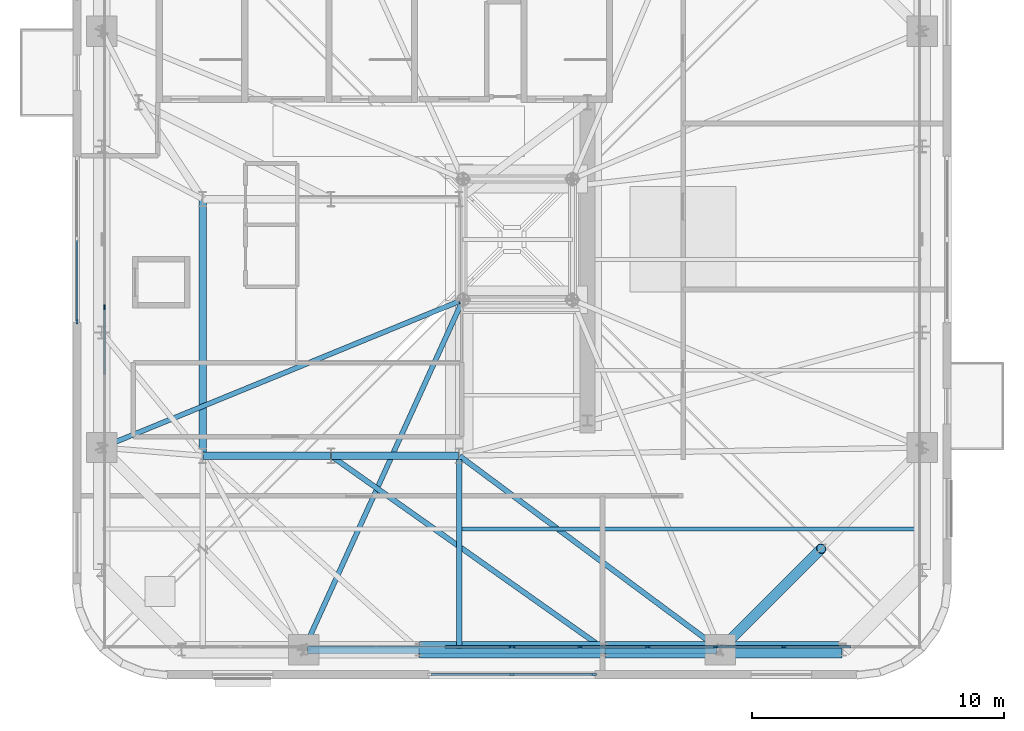
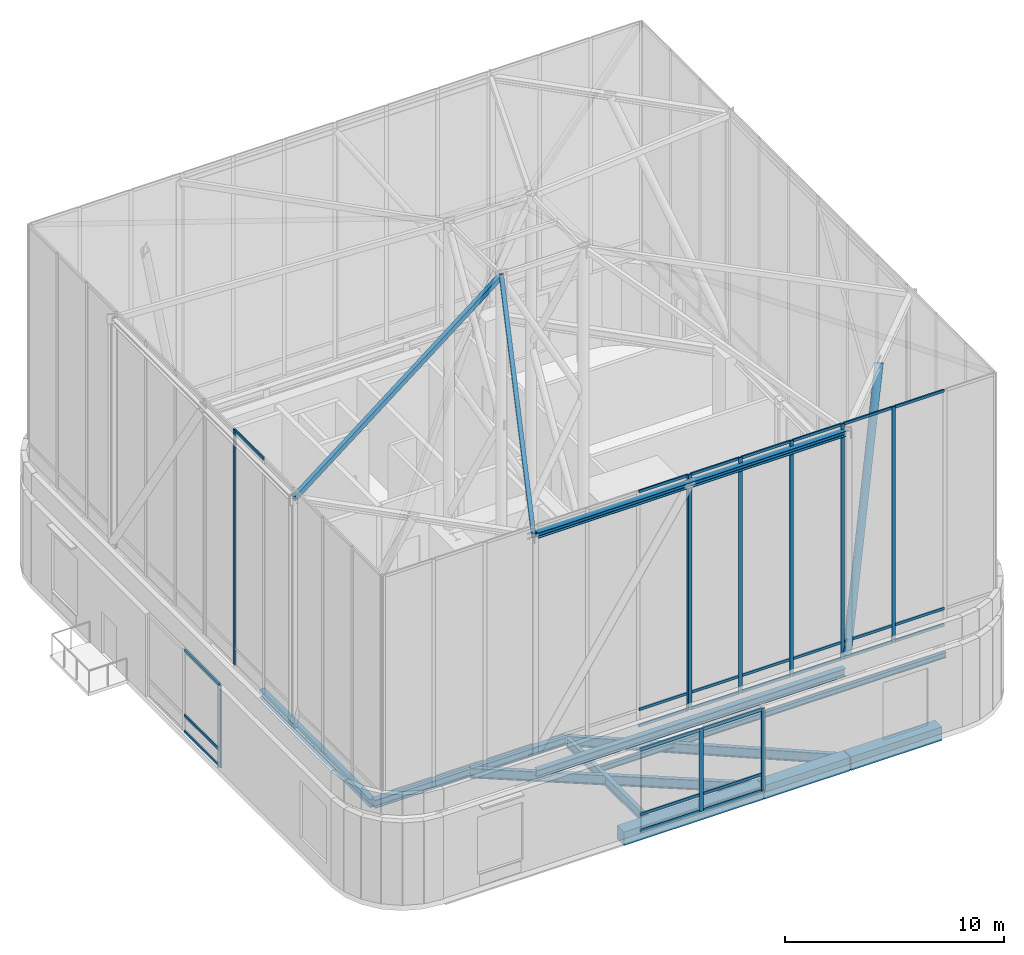
# One storey, part 3 of 15: 41 members, 12 beams, 5 elements without a shape of their own.
"""IFC4 building model written with IfcOpenShell, lengths in metres."""

from ifc_helpers import new_model, si_unit, direction, frame, origin, origin_2d, place, context, subcontext, project, spatial, rectangle, hollow_rectangle, hollow_circle, i_section, extrude, source, transform, mapped, material, material_profile, profile_set, type_object, element, aggregate, save


model = new_model("IFC4")

# Units and contexts
model_context = context("Model", 3, precision=1e-05, world=origin(), true_north=direction((0.0, 1.0)))
body_context = subcontext(model_context, "Body", "Model", "MODEL_VIEW")
ifc_project = project(units=[si_unit("LENGTHUNIT", "METRE"), si_unit("AREAUNIT", "SQUARE_METRE"), si_unit("VOLUMEUNIT", "CUBIC_METRE"), si_unit("PLANEANGLEUNIT", "RADIAN"), si_unit("MASSUNIT", "GRAM", prefix="KILO")], contexts=[model_context])

# Site, building, storey
site_placement = place(None, origin())
site = spatial("IfcSite", under=ifc_project, at=site_placement, CompositionType="ELEMENT")
building_placement = place(site_placement, origin())
building = spatial("IfcBuilding", under=site, at=building_placement, Name="Vardaveli Station Tower", CompositionType="ELEMENT")
storey_placement = place(building_placement, frame((0.0, 0.0, 301.14990234375)))
storey = spatial("IfcBuildingStorey", under=building, at=storey_placement, Name="L76", CompositionType="ELEMENT", Elevation=301.14990234375)

# Beams
ifc_material_1 = material(Name="Structural steel S355J2", Category="steel")
ifc_material_profile_1 = material_profile(ifc_material_1, i_section(OverallWidth=0.300048828125, OverallDepth=0.449951171875, WebThickness=0.013916015625, FlangeThickness=0.02587890625, FilletRadius=0.027099609375, at=origin_2d()), Name="HEB 450")
ifc_profile_set_1 = profile_set([ifc_material_profile_1], Name="Structural steel S355J2")
beam_type_1 = type_object("IfcBeamType", Name="BM-HEB450", PredefinedType="BEAM", material=ifc_profile_set_1)
shared_shape_1 = source(origin(), body_context, "Body", "SweptSolid", [
    extrude(i_section(OverallWidth=0.300048828125, OverallDepth=0.449951171875, WebThickness=0.013916015625, FlangeThickness=0.02587890625, FilletRadius=0.027099609375, at=origin_2d()), origin(), (0.0, 0.0, 1.0), 5.06005859375),
])
beam_1_placement = place(storey_placement, frame((31.219970703125, 16.60009765625, -0.52490234375), z_axis=(1.0, 0.0, 0.0), x_axis=(0.0, 1.0, 0.0)))
element("IfcBeam", 1, at=beam_1_placement, inside=storey, type_object=beam_type_1, Name="ABM-L76-01", PredefinedType="BEAM", context=body_context, shape_type="MappedRepresentation", body=[
    mapped(shared_shape_1, transform((0.0, 0.0, 0.0), scale=1.0)),
])
shared_shape_2 = source(origin(), body_context, "Body", "SweptSolid", [
    extrude(i_section(OverallWidth=0.300048828125, OverallDepth=0.449951171875, WebThickness=0.013916015625, FlangeThickness=0.02587890625, FilletRadius=0.027099609375, at=origin_2d()), origin(), (0.0, 0.0, 1.0), 5.059814453125),
])
beam_2_placement = place(storey_placement, frame((36.320068359375, 16.60009765625, -0.52490234375), z_axis=(1.0, 0.0, 0.0), x_axis=(0.0, 1.0, 0.0)))
element("IfcBeam", 2, at=beam_2_placement, inside=storey, type_object=beam_type_1, Name="ABM-L76-02", PredefinedType="BEAM", context=body_context, shape_type="MappedRepresentation", body=[
    mapped(shared_shape_2, transform((0.0, 0.0, 0.0), scale=1.0)),
])
shared_shape_3 = source(origin(), body_context, "Body", "SweptSolid", [
    extrude(i_section(OverallWidth=0.300048828125, OverallDepth=0.449951171875, WebThickness=0.013916015625, FlangeThickness=0.02587890625, FilletRadius=0.027099609375, at=origin_2d()), origin(), (0.0, 0.0, 1.0), 10.159912109375),
])
beam_3_placement = place(storey_placement, frame((31.199951171875, 26.780029296875, -0.52490234375), z_axis=(0.0, -1.0, 0.0), x_axis=(1.0, 0.0, 0.0)))
element("IfcBeam", 3, at=beam_3_placement, inside=storey, type_object=beam_type_1, Name="ABM-L76-06", PredefinedType="BEAM", context=body_context, shape_type="MappedRepresentation", body=[
    mapped(shared_shape_3, transform((0.0, 0.0, 0.0), scale=1.0)),
])
ifc_material_2 = material(Name="Precast concrete C45/55", Category="concrete")
ifc_material_profile_2 = material_profile(ifc_material_2, rectangle(XDim=0.64990234375, YDim=0.75, at=origin_2d()), Name="LPB 650x750")
ifc_profile_set_2 = profile_set([ifc_material_profile_2], Name="Precast concrete C45/55")
beam_type_2 = type_object("IfcBeamType", Name="BM-LPB-750", PredefinedType="BEAM", material=ifc_profile_set_2)
shared_shape_4 = source(origin(), body_context, "Body", "SweptSolid", [
    extrude(rectangle(XDim=0.64990234375, YDim=0.75, at=origin_2d()), origin(), (0.0, 0.0, 1.0), 7.35986328125),
])
beam_4_placement = place(storey_placement, frame((39.820068359375, 8.889892578125, -0.6748046875), z_axis=(1.0, 0.0, 0.0), x_axis=(0.0, 1.0, 0.0)))
element("IfcBeam", 4, at=beam_4_placement, inside=storey, type_object=beam_type_2, Name="RBM-L76-02", PredefinedType="BEAM", context=body_context, shape_type="MappedRepresentation", body=[
    mapped(shared_shape_4, transform((0.0, 0.0, 0.0), scale=1.0)),
])
shared_shape_5 = source(origin(), body_context, "Body", "SweptSolid", [
    extrude(rectangle(XDim=0.64990234375, YDim=0.75, at=origin_2d()), origin(), (0.0, 0.0, 1.0), 4.535888671875),
])
beam_5_placement = place(storey_placement, frame((47.219970703125, 8.889892578125, -0.6748046875), z_axis=(1.0, 0.0, 0.0), x_axis=(0.0, 1.0, 0.0)))
element("IfcBeam", 5, at=beam_5_placement, inside=storey, type_object=beam_type_2, Name="RBM-L76-03", PredefinedType="BEAM", context=body_context, shape_type="MappedRepresentation", body=[
    mapped(shared_shape_5, transform((0.0, 0.0, 0.0), scale=1.0)),
])
shared_shape_6 = source(origin(), body_context, "Body", "SweptSolid", [
    extrude(rectangle(XDim=0.64990234375, YDim=0.75, at=origin_2d()), origin(), (0.0, 0.0, 1.0), 4.8271484375),
])
beam_6_placement = place(storey_placement, frame((51.7958984375, 8.889892578125, -0.6748046875), z_axis=(1.0, 0.0, 0.0), x_axis=(0.0, 1.0, 0.0)))
element("IfcBeam", 6, at=beam_6_placement, inside=storey, type_object=beam_type_2, Name="RBM-L76-04", PredefinedType="BEAM", context=body_context, shape_type="MappedRepresentation", body=[
    mapped(shared_shape_6, transform((0.0, 0.0, 0.0), scale=1.0)),
])
ifc_material_profile_3 = material_profile(ifc_material_1, i_section(OverallWidth=0.2099609375, OverallDepth=0.550048828125, WebThickness=0.010986328125, FlangeThickness=0.01708984375, FilletRadius=0.02392578125, at=origin_2d()), Name="IPE 550")
ifc_profile_set_3 = profile_set([ifc_material_profile_3], Name="Structural steel S355J2")
beam_type_3 = type_object("IfcBeamType", Name="BM-IPE550", PredefinedType="BEAM", material=ifc_profile_set_3)
shared_shape_7 = source(origin(), body_context, "Body", "SweptSolid", [
    extrude(i_section(OverallWidth=0.2099609375, OverallDepth=0.550048828125, WebThickness=0.010986328125, FlangeThickness=0.01708984375, FilletRadius=0.02392578125, at=origin_2d()), origin(), (0.0, 0.0, 1.0), 13.31103515625),
])
beam_7_placement = place(storey_placement, frame((47.18359375, 8.901611328125, -0.574951171875), z_axis=(-0.816407836017, 0.577475752988, 0.0), x_axis=(-0.577475752988, -0.816407836017, 0.0)))
element("IfcBeam", 7, at=beam_7_placement, inside=storey, type_object=beam_type_3, Name="GBM-L76-03", PredefinedType="BEAM", context=body_context, shape_type="MappedRepresentation", body=[
    mapped(shared_shape_7, transform((0.0, 0.0, 0.0), scale=1.0)),
])
shared_shape_8 = source(origin(), body_context, "Body", "SweptSolid", [
    extrude(i_section(OverallWidth=0.2099609375, OverallDepth=0.550048828125, WebThickness=0.010986328125, FlangeThickness=0.01708984375, FilletRadius=0.02392578125, at=origin_2d()), origin(), (0.0, 0.0, 1.0), 12.886962890625),
])
beam_8_placement = place(storey_placement, frame((51.759765625, 8.90185546875, -0.574951171875), z_axis=(-0.802656519513, 0.596441540876, 0.0), x_axis=(-0.596441540876, -0.802656519513, 0.0)))
element("IfcBeam", 8, at=beam_8_placement, inside=storey, type_object=beam_type_3, Name="GBM-L76-04", PredefinedType="BEAM", context=body_context, shape_type="MappedRepresentation", body=[
    mapped(shared_shape_8, transform((0.0, 0.0, 0.0), scale=1.0)),
])
shared_shape_9 = source(origin(), body_context, "Body", "SweptSolid", [
    extrude(i_section(OverallWidth=0.2099609375, OverallDepth=0.550048828125, WebThickness=0.010986328125, FlangeThickness=0.01708984375, FilletRadius=0.02392578125, at=origin_2d()), origin(), (0.0, 0.0, 1.0), 7.530029296875),
])
beam_9_placement = place(storey_placement, frame((41.39990234375, 8.929931640625, -0.574951171875), z_axis=(0.0, 1.0, 0.0), x_axis=(-1.0, 0.0, 0.0)))
element("IfcBeam", 9, at=beam_9_placement, inside=storey, type_object=beam_type_3, Name="NSM-L76-S2", PredefinedType="BEAM", context=body_context, shape_type="MappedRepresentation", body=[
    mapped(shared_shape_9, transform((0.0, 0.0, 0.0), scale=1.0)),
])
ifc_material_profile_4 = material_profile(ifc_material_1, i_section(OverallWidth=0.14990234375, OverallDepth=0.300048828125, WebThickness=0.007080078125, FlangeThickness=0.0107421875, FilletRadius=0.014892578125, at=origin_2d()), Name="IPE 300")
ifc_profile_set_4 = profile_set([ifc_material_profile_4], Name="Structural steel S355J2")
beam_type_4 = type_object("IfcBeamType", Name="BM-IPE300", PredefinedType="JOIST", material=ifc_profile_set_4)
shared_shape_10 = source(origin(), body_context, "Body", "SweptSolid", [
    extrude(i_section(OverallWidth=0.14990234375, OverallDepth=0.300048828125, WebThickness=0.007080078125, FlangeThickness=0.0107421875, FilletRadius=0.014892578125, at=origin_2d()), origin(), (0.0, 0.0, 1.0), 18.258056640625),
])
beam_10_placement = place(storey_placement, frame((41.511962890625, 13.68994140625, -0.449951171875), z_axis=(1.0, 0.0, 0.0), x_axis=(0.0, 1.0, 0.0)))
element("IfcBeam", 10, at=beam_10_placement, inside=storey, type_object=beam_type_4, Name="SJ-L76-S03", PredefinedType="JOIST", context=body_context, shape_type="MappedRepresentation", body=[
    mapped(shared_shape_10, transform((0.0, 0.0, 0.0), scale=1.0)),
])
shared_shape_11 = source(origin(), body_context, "Body", "SweptSolid", [
    extrude(i_section(OverallWidth=0.300048828125, OverallDepth=0.449951171875, WebThickness=0.013916015625, FlangeThickness=0.02587890625, FilletRadius=0.027099609375, at=origin_2d()), origin(), (0.0, 0.0, 1.0), 16.271484375),
])
beam_11_placement = place(storey_placement, frame((35.3642578125, 8.889892578125, 4.375), z_axis=(1.0, 0.0, 0.0), x_axis=(0.0, 1.0, 0.0)))
element("IfcBeam", 11, at=beam_11_placement, inside=storey, type_object=beam_type_1, Name="CRB-BASE-01", PredefinedType="BEAM", context=body_context, shape_type="MappedRepresentation", body=[
    mapped(shared_shape_11, transform((0.0, 0.0, 0.0), scale=1.0)),
])

# Member
ifc_material_3 = material(Name="Structural steel S460M", Category="steel")
ifc_material_profile_5 = material_profile(ifc_material_3, hollow_circle(Radius=0.203125, WallThickness=0.02001953125, at=origin_2d()), Name="CHS 406.4x20")
ifc_profile_set_5 = profile_set([ifc_material_profile_5], Name="Structural steel S460M")
member_type_1 = type_object("IfcMemberType", Name="MEM-ST-CHS406", PredefinedType="STRUT", material=ifc_profile_set_5)
shared_shape_12 = source(origin(), body_context, "Body", "SweptSolid", [
    extrude(hollow_circle(Radius=0.203125, WallThickness=0.02001953125, at=origin_2d()), origin(), (0.0, 0.0, 1.0), 13.68505859375),
])
member_1_placement = place(storey_placement, frame((51.77587890625, 8.889892578125, 5.25), z_axis=(0.293537937802, 0.293537937802, 0.909764232173), x_axis=(-0.707106781187, 0.707106781187, 0.0)))
element("IfcMember", 12, at=member_1_placement, inside=storey, type_object=member_type_1, Name="CRM-STR-02", PredefinedType="STRUT", context=body_context, shape_type="MappedRepresentation", body=[
    mapped(shared_shape_12, transform((0.0, 0.0, 0.0), scale=1.0)),
])

# Beam
ifc_material_profile_6 = material_profile(ifc_material_1, i_section(OverallWidth=0.300048828125, OverallDepth=0.300048828125, WebThickness=0.010986328125, FlangeThickness=0.01904296875, FilletRadius=0.027099609375, at=origin_2d()), Name="HEB 300")
ifc_profile_set_6 = profile_set([ifc_material_profile_6], Name="Structural steel S355J2")
beam_type_5 = type_object("IfcBeamType", Name="BM-HEB300", PredefinedType="BEAM", material=ifc_profile_set_6)
shared_shape_13 = source(origin(), body_context, "Body", "SweptSolid", [
    extrude(i_section(OverallWidth=0.300048828125, OverallDepth=0.300048828125, WebThickness=0.010986328125, FlangeThickness=0.01904296875, FilletRadius=0.027099609375, at=origin_2d()), origin(), (0.0, 0.0, 1.0), 16.271484375),
])
beam_12_placement = place(storey_placement, frame((35.3642578125, 8.889892578125, 17.7001953125), z_axis=(1.0, 0.0, 0.0), x_axis=(0.0, 1.0, 0.0)))
element("IfcBeam", 13, at=beam_12_placement, inside=storey, type_object=beam_type_5, Name="CRB-EAVE-01", PredefinedType="BEAM", context=body_context, shape_type="MappedRepresentation", body=[
    mapped(shared_shape_13, transform((0.0, 0.0, 0.0), scale=1.0)),
])

# Members
ifc_material_profile_7 = material_profile(ifc_material_1, hollow_rectangle(XDim=0.199951171875, YDim=0.300048828125, WallThickness=0.012451171875, at=origin_2d()), Name="RHS 300x200x12.5")
ifc_profile_set_7 = profile_set([ifc_material_profile_7], Name="Structural steel S355J2")
member_type_2 = type_object("IfcMemberType", Name="MEM-RF-RHS300", PredefinedType="RAFTER", material=ifc_profile_set_7)
shared_shape_14 = source(origin(), body_context, "Body", "SweptSolid", [
    extrude(hollow_rectangle(XDim=0.199951171875, YDim=0.300048828125, WallThickness=0.012451171875, at=origin_2d()), origin(), (0.0, 0.0, 1.0), 15.763427734375),
])
member_2_placement = place(storey_placement, frame((35.22412109375, 8.889892578125, 17.7001953125), z_axis=(0.401304013549, 0.882432074254, 0.245496890076), x_axis=(-0.910289313805, 0.413972662349, 0.0)))
element("IfcMember", 14, at=member_2_placement, inside=storey, type_object=member_type_2, Name="CRM-RAF-01", PredefinedType="RAFTER", context=body_context, shape_type="MappedRepresentation", body=[
    mapped(shared_shape_14, transform((0.0, 0.0, 0.0), scale=1.0)),
])
shared_shape_15 = source(origin(), body_context, "Body", "SweptSolid", [
    extrude(hollow_rectangle(XDim=0.199951171875, YDim=0.300048828125, WallThickness=0.012451171875, at=origin_2d()), origin(), (0.0, 0.0, 1.0), 15.990966796875),
])
member_3_placement = place(storey_placement, frame((27.18994140625, 16.92431640625, 17.7001953125), z_axis=(0.898010523232, 0.3674394203, 0.242002835882), x_axis=(-0.378695952222, 0.925521137398, 0.0)))
element("IfcMember", 15, at=member_3_placement, inside=storey, type_object=member_type_2, Name="CRM-RAF-08", PredefinedType="RAFTER", context=body_context, shape_type="MappedRepresentation", body=[
    mapped(shared_shape_15, transform((0.0, 0.0, 0.0), scale=1.0)),
])

# Curtain wall, members
ifc_material_4 = material(Name="Travertine stone and solar-control glass", Category="masonry")
curtain_wall_type_1 = type_object("IfcCurtainWallType", Name="CW-SYS-5", PredefinedType="NOTDEFINED", material=ifc_material_4)
curtain_wall_1_placement = place(storey_placement, origin())
curtain_wall_1 = element("IfcCurtainWall", 16, at=curtain_wall_1_placement, inside=storey, type_object=curtain_wall_type_1, Name="CW-L76-S", PredefinedType="NOTDEFINED")
ifc_material_5 = material(Name="Anodised aluminium alloy 6063-T6", Category="aluminium")
ifc_material_profile_8 = material_profile(ifc_material_5, rectangle(XDim=0.080078125, YDim=0.1650390625, at=origin_2d()), Name="CWT 80x165")
ifc_profile_set_8 = profile_set([ifc_material_profile_8], Name="Anodised aluminium alloy 6063-T6")
member_type_3 = type_object("IfcMemberType", Name="CW-SYS-5-TRAN", PredefinedType="NOTDEFINED", material=ifc_profile_set_8)
shared_shape_16 = source(origin(), body_context, "Body", "SweptSolid", [
    extrude(rectangle(XDim=0.080078125, YDim=0.1650390625, at=origin_2d()), origin(), (0.0, 0.0, 1.0), 3.179931640625),
])
member_4_placement = place(storey_placement, frame((40.280029296875, 7.89990234375, 0.0400390625), z_axis=(1.0, 0.0, 0.0), x_axis=(0.0, 1.0, 0.0)))
member_4 = element("IfcMember", 17, at=member_4_placement, type_object=member_type_3, Name="CW-5 transom 1.1", ObjectType="TRANSOM", PredefinedType="USERDEFINED", context=body_context, shape_type="MappedRepresentation", body=[
    mapped(shared_shape_16, transform((0.0, 0.0, 0.0), scale=1.0)),
])
member_5_placement = place(storey_placement, frame((40.280029296875, 7.89990234375, 0.9501953125), z_axis=(1.0, 0.0, 0.0), x_axis=(0.0, 1.0, 0.0)))
member_5 = element("IfcMember", 18, at=member_5_placement, type_object=member_type_3, Name="CW-5 transom 1.2", ObjectType="TRANSOM", PredefinedType="USERDEFINED", context=body_context, shape_type="MappedRepresentation", body=[
    mapped(shared_shape_16, transform((0.0, 0.0, 0.0), scale=1.0)),
])
member_6_placement = place(storey_placement, frame((40.280029296875, 7.89990234375, 4.56005859375), z_axis=(1.0, 0.0, 0.0), x_axis=(0.0, 1.0, 0.0)))
member_6 = element("IfcMember", 19, at=member_6_placement, type_object=member_type_3, Name="CW-5 transom 1.3", ObjectType="TRANSOM", PredefinedType="USERDEFINED", context=body_context, shape_type="MappedRepresentation", body=[
    mapped(shared_shape_16, transform((0.0, 0.0, 0.0), scale=1.0)),
])
member_7_placement = place(storey_placement, frame((43.5400390625, 7.89990234375, 0.0400390625), z_axis=(1.0, 0.0, 0.0), x_axis=(0.0, 1.0, 0.0)))
member_7 = element("IfcMember", 20, at=member_7_placement, type_object=member_type_3, Name="CW-5 transom 2.1", ObjectType="TRANSOM", PredefinedType="USERDEFINED", context=body_context, shape_type="MappedRepresentation", body=[
    mapped(shared_shape_16, transform((0.0, 0.0, 0.0), scale=1.0)),
])
member_8_placement = place(storey_placement, frame((43.5400390625, 7.89990234375, 0.9501953125), z_axis=(1.0, 0.0, 0.0), x_axis=(0.0, 1.0, 0.0)))
member_8 = element("IfcMember", 21, at=member_8_placement, type_object=member_type_3, Name="CW-5 transom 2.2", ObjectType="TRANSOM", PredefinedType="USERDEFINED", context=body_context, shape_type="MappedRepresentation", body=[
    mapped(shared_shape_16, transform((0.0, 0.0, 0.0), scale=1.0)),
])
member_9_placement = place(storey_placement, frame((43.5400390625, 7.89990234375, 4.56005859375), z_axis=(1.0, 0.0, 0.0), x_axis=(0.0, 1.0, 0.0)))
member_9 = element("IfcMember", 22, at=member_9_placement, type_object=member_type_3, Name="CW-5 transom 2.3", ObjectType="TRANSOM", PredefinedType="USERDEFINED", context=body_context, shape_type="MappedRepresentation", body=[
    mapped(shared_shape_16, transform((0.0, 0.0, 0.0), scale=1.0)),
])

curtain_wall_2_placement = place(storey_placement, origin())
curtain_wall_2 = element("IfcCurtainWall", 23, at=curtain_wall_2_placement, inside=storey, type_object=curtain_wall_type_1, Name="CW-L76-W", PredefinedType="NOTDEFINED")
member_10_placement = place(storey_placement, frame((26.199951171875, 25.159912109375, 0.0400390625), z_axis=(0.0, -1.0, 0.0), x_axis=(1.0, 0.0, 0.0)))
member_10 = element("IfcMember", 24, at=member_10_placement, type_object=member_type_3, Name="CW-5 transom 2.1", ObjectType="TRANSOM", PredefinedType="USERDEFINED", context=body_context, shape_type="MappedRepresentation", body=[
    mapped(shared_shape_16, transform((0.0, 0.0, 0.0), scale=1.0)),
])
member_11_placement = place(storey_placement, frame((26.199951171875, 25.159912109375, 0.9501953125), z_axis=(0.0, -1.0, 0.0), x_axis=(1.0, 0.0, 0.0)))
member_11 = element("IfcMember", 25, at=member_11_placement, type_object=member_type_3, Name="CW-5 transom 2.2", ObjectType="TRANSOM", PredefinedType="USERDEFINED", context=body_context, shape_type="MappedRepresentation", body=[
    mapped(shared_shape_16, transform((0.0, 0.0, 0.0), scale=1.0)),
])
member_12_placement = place(storey_placement, frame((26.199951171875, 25.159912109375, 4.56005859375), z_axis=(0.0, -1.0, 0.0), x_axis=(1.0, 0.0, 0.0)))
member_12 = element("IfcMember", 26, at=member_12_placement, type_object=member_type_3, Name="CW-5 transom 2.3", ObjectType="TRANSOM", PredefinedType="USERDEFINED", context=body_context, shape_type="MappedRepresentation", body=[
    mapped(shared_shape_16, transform((0.0, 0.0, 0.0), scale=1.0)),
])

# Member
ifc_material_profile_9 = material_profile(ifc_material_5, rectangle(XDim=0.080078125, YDim=0.205078125, at=origin_2d()), Name="CWM 80x205")
ifc_profile_set_9 = profile_set([ifc_material_profile_9], Name="Anodised aluminium alloy 6063-T6")
member_type_4 = type_object("IfcMemberType", Name="CW-SYS-5-MULL", PredefinedType="MULLION", material=ifc_profile_set_9)
shared_shape_17 = source(origin(), body_context, "Body", "SweptSolid", [
    extrude(rectangle(XDim=0.080078125, YDim=0.205078125, at=origin_2d()), origin(), (0.0, 0.0, 1.0), 4.60009765625),
])
member_13_placement = place(storey_placement, frame((43.5, 7.89990234375, 0.0), z_axis=(0.0, 0.0, 1.0), x_axis=(0.0, 1.0, 0.0)))
member_13 = element("IfcMember", 27, at=member_13_placement, type_object=member_type_4, Name="CW-5 mullion 2", PredefinedType="MULLION", context=body_context, shape_type="MappedRepresentation", body=[
    mapped(shared_shape_17, transform((0.0, 0.0, 0.0), scale=1.0)),
])

member_14_placement = place(storey_placement, frame((46.760009765625, 7.89990234375, 0.0), z_axis=(0.0, 0.0, 1.0), x_axis=(0.0, 1.0, 0.0)))
member_14 = element("IfcMember", 28, at=member_14_placement, type_object=member_type_4, Name="CW-5 mullion 3", PredefinedType="MULLION", context=body_context, shape_type="MappedRepresentation", body=[
    mapped(shared_shape_17, transform((0.0, 0.0, 0.0), scale=1.0)),
])

aggregate(curtain_wall_1, [member_13, member_14, member_4, member_5, member_6, member_7, member_8, member_9])

member_15_placement = place(storey_placement, frame((26.199951171875, 21.93994140625, 0.0), z_axis=(0.0, 0.0, 1.0), x_axis=(1.0, 0.0, 0.0)))
member_15 = element("IfcMember", 29, at=member_15_placement, type_object=member_type_4, Name="CW-5 mullion 3", PredefinedType="MULLION", context=body_context, shape_type="MappedRepresentation", body=[
    mapped(shared_shape_17, transform((0.0, 0.0, 0.0), scale=1.0)),
])

aggregate(curtain_wall_2, [member_15, member_10, member_11, member_12])

# Curtain wall, member
curtain_wall_type_2 = type_object("IfcCurtainWallType", Name="CW-SYS-6", PredefinedType="NOTDEFINED", material=ifc_material_4)
curtain_wall_3_placement = place(storey_placement, origin())
curtain_wall_3 = element("IfcCurtainWall", 30, at=curtain_wall_3_placement, inside=storey, type_object=curtain_wall_type_2, Name="CW-L76-CRN-S1", PredefinedType="NOTDEFINED")
ifc_material_profile_10 = material_profile(ifc_material_5, rectangle(XDim=0.074951171875, YDim=0.18994140625, at=origin_2d()), Name="CWM 75x190")
ifc_profile_set_10 = profile_set([ifc_material_profile_10], Name="Anodised aluminium alloy 6063-T6")
member_type_5 = type_object("IfcMemberType", Name="CW-SYS-6-MULL", PredefinedType="MULLION", material=ifc_profile_set_10)
shared_shape_18 = source(origin(), body_context, "Body", "SweptSolid", [
    extrude(rectangle(XDim=0.074951171875, YDim=0.18994140625, at=origin_2d()), origin(), (0.0, 0.0, 1.0), 13.150146484375),
])
member_16_placement = place(storey_placement, frame((43.46240234375, 9.0, 5.0), z_axis=(0.0, 0.0, 1.0), x_axis=(0.0, 1.0, 0.0)))
member_16 = element("IfcMember", 31, at=member_16_placement, type_object=member_type_5, Name="CW-6 mullion 7", PredefinedType="MULLION", context=body_context, shape_type="MappedRepresentation", body=[
    mapped(shared_shape_18, transform((0.0, 0.0, 0.0), scale=1.0)),
])

# Curtain wall, members
curtain_wall_4_placement = place(storey_placement, origin())
curtain_wall_4 = element("IfcCurtainWall", 32, at=curtain_wall_4_placement, inside=storey, type_object=curtain_wall_type_2, Name="CW-L76-CRN-S2", PredefinedType="NOTDEFINED")
member_17_placement = place(storey_placement, frame((43.53759765625, 9.0, 5.0), z_axis=(0.0, 0.0, 1.0), x_axis=(0.0, 1.0, 0.0)))
member_17 = element("IfcMember", 33, at=member_17_placement, type_object=member_type_5, Name="CW-6 mullion 1", PredefinedType="MULLION", context=body_context, shape_type="MappedRepresentation", body=[
    mapped(shared_shape_18, transform((0.0, 0.0, 0.0), scale=1.0)),
])
member_18_placement = place(storey_placement, frame((46.199951171875, 9.0, 5.0), z_axis=(0.0, 0.0, 1.0), x_axis=(0.0, 1.0, 0.0)))
member_18 = element("IfcMember", 34, at=member_18_placement, type_object=member_type_5, Name="CW-6 mullion 2", PredefinedType="MULLION", context=body_context, shape_type="MappedRepresentation", body=[
    mapped(shared_shape_18, transform((0.0, 0.0, 0.0), scale=1.0)),
])
member_19_placement = place(storey_placement, frame((48.89990234375, 9.0, 5.0), z_axis=(0.0, 0.0, 1.0), x_axis=(0.0, 1.0, 0.0)))
member_19 = element("IfcMember", 35, at=member_19_placement, type_object=member_type_5, Name="CW-6 mullion 3", PredefinedType="MULLION", context=body_context, shape_type="MappedRepresentation", body=[
    mapped(shared_shape_18, transform((0.0, 0.0, 0.0), scale=1.0)),
])
member_20_placement = place(storey_placement, frame((51.60009765625, 9.0, 5.0), z_axis=(0.0, 0.0, 1.0), x_axis=(0.0, 1.0, 0.0)))
member_20 = element("IfcMember", 36, at=member_20_placement, type_object=member_type_5, Name="CW-6 mullion 4", PredefinedType="MULLION", context=body_context, shape_type="MappedRepresentation", body=[
    mapped(shared_shape_18, transform((0.0, 0.0, 0.0), scale=1.0)),
])
member_21_placement = place(storey_placement, frame((54.300048828125, 9.0, 5.0), z_axis=(0.0, 0.0, 1.0), x_axis=(0.0, 1.0, 0.0)))
member_21 = element("IfcMember", 37, at=member_21_placement, type_object=member_type_5, Name="CW-6 mullion 5", PredefinedType="MULLION", context=body_context, shape_type="MappedRepresentation", body=[
    mapped(shared_shape_18, transform((0.0, 0.0, 0.0), scale=1.0)),
])

# Curtain wall, member
curtain_wall_5_placement = place(storey_placement, origin())
curtain_wall_5 = element("IfcCurtainWall", 38, at=curtain_wall_5_placement, inside=storey, type_object=curtain_wall_type_2, Name="CW-L76-CRN-W2", PredefinedType="NOTDEFINED")
member_22_placement = place(storey_placement, frame((27.300048828125, 22.5, 5.0), z_axis=(0.0, 0.0, 1.0), x_axis=(1.0, 0.0, 0.0)))
member_22 = element("IfcMember", 39, at=member_22_placement, type_object=member_type_5, Name="CW-6 mullion 2", PredefinedType="MULLION", context=body_context, shape_type="MappedRepresentation", body=[
    mapped(shared_shape_18, transform((0.0, 0.0, 0.0), scale=1.0)),
])

# Member
ifc_material_profile_11 = material_profile(ifc_material_5, rectangle(XDim=0.074951171875, YDim=0.14990234375, at=origin_2d()), Name="CWT 75x150")
ifc_profile_set_11 = profile_set([ifc_material_profile_11], Name="Anodised aluminium alloy 6063-T6")
member_type_6 = type_object("IfcMemberType", Name="CW-SYS-6-TRAN", PredefinedType="NOTDEFINED", material=ifc_profile_set_11)
shared_shape_19 = source(origin(), body_context, "Body", "SweptSolid", [
    extrude(rectangle(XDim=0.074951171875, YDim=0.14990234375, at=origin_2d()), origin(), (0.0, 0.0, 1.0), 2.625),
])
member_23_placement = place(storey_placement, frame((46.237548828125, 9.0, 5.03759765625), z_axis=(1.0, 0.0, 0.0), x_axis=(0.0, 1.0, 0.0)))
member_23 = element("IfcMember", 40, at=member_23_placement, type_object=member_type_6, Name="CW-6 transom 2.1", ObjectType="TRANSOM", PredefinedType="USERDEFINED", context=body_context, shape_type="MappedRepresentation", body=[
    mapped(shared_shape_19, transform((0.0, 0.0, 0.0), scale=1.0)),
])

member_24_placement = place(storey_placement, frame((46.237548828125, 9.0, 5.9501953125), z_axis=(1.0, 0.0, 0.0), x_axis=(0.0, 1.0, 0.0)))
member_24 = element("IfcMember", 41, at=member_24_placement, type_object=member_type_6, Name="CW-6 transom 2.2", ObjectType="TRANSOM", PredefinedType="USERDEFINED", context=body_context, shape_type="MappedRepresentation", body=[
    mapped(shared_shape_19, transform((0.0, 0.0, 0.0), scale=1.0)),
])

member_25_placement = place(storey_placement, frame((46.237548828125, 9.0, 18.112548828125), z_axis=(1.0, 0.0, 0.0), x_axis=(0.0, 1.0, 0.0)))
member_25 = element("IfcMember", 42, at=member_25_placement, type_object=member_type_6, Name="CW-6 transom 2.3", ObjectType="TRANSOM", PredefinedType="USERDEFINED", context=body_context, shape_type="MappedRepresentation", body=[
    mapped(shared_shape_19, transform((0.0, 0.0, 0.0), scale=1.0)),
])

member_26_placement = place(storey_placement, frame((48.9375, 9.0, 5.03759765625), z_axis=(1.0, 0.0, 0.0), x_axis=(0.0, 1.0, 0.0)))
member_26 = element("IfcMember", 43, at=member_26_placement, type_object=member_type_6, Name="CW-6 transom 3.1", ObjectType="TRANSOM", PredefinedType="USERDEFINED", context=body_context, shape_type="MappedRepresentation", body=[
    mapped(shared_shape_19, transform((0.0, 0.0, 0.0), scale=1.0)),
])

member_27_placement = place(storey_placement, frame((48.9375, 9.0, 5.9501953125), z_axis=(1.0, 0.0, 0.0), x_axis=(0.0, 1.0, 0.0)))
member_27 = element("IfcMember", 44, at=member_27_placement, type_object=member_type_6, Name="CW-6 transom 3.2", ObjectType="TRANSOM", PredefinedType="USERDEFINED", context=body_context, shape_type="MappedRepresentation", body=[
    mapped(shared_shape_19, transform((0.0, 0.0, 0.0), scale=1.0)),
])

member_28_placement = place(storey_placement, frame((48.9375, 9.0, 18.112548828125), z_axis=(1.0, 0.0, 0.0), x_axis=(0.0, 1.0, 0.0)))
member_28 = element("IfcMember", 45, at=member_28_placement, type_object=member_type_6, Name="CW-6 transom 3.3", ObjectType="TRANSOM", PredefinedType="USERDEFINED", context=body_context, shape_type="MappedRepresentation", body=[
    mapped(shared_shape_19, transform((0.0, 0.0, 0.0), scale=1.0)),
])

member_29_placement = place(storey_placement, frame((51.637451171875, 9.0, 5.03759765625), z_axis=(1.0, 0.0, 0.0), x_axis=(0.0, 1.0, 0.0)))
member_29 = element("IfcMember", 46, at=member_29_placement, type_object=member_type_6, Name="CW-6 transom 4.1", ObjectType="TRANSOM", PredefinedType="USERDEFINED", context=body_context, shape_type="MappedRepresentation", body=[
    mapped(shared_shape_19, transform((0.0, 0.0, 0.0), scale=1.0)),
])

member_30_placement = place(storey_placement, frame((51.637451171875, 9.0, 5.9501953125), z_axis=(1.0, 0.0, 0.0), x_axis=(0.0, 1.0, 0.0)))
member_30 = element("IfcMember", 47, at=member_30_placement, type_object=member_type_6, Name="CW-6 transom 4.2", ObjectType="TRANSOM", PredefinedType="USERDEFINED", context=body_context, shape_type="MappedRepresentation", body=[
    mapped(shared_shape_19, transform((0.0, 0.0, 0.0), scale=1.0)),
])

member_31_placement = place(storey_placement, frame((51.637451171875, 9.0, 18.112548828125), z_axis=(1.0, 0.0, 0.0), x_axis=(0.0, 1.0, 0.0)))
member_31 = element("IfcMember", 48, at=member_31_placement, type_object=member_type_6, Name="CW-6 transom 4.3", ObjectType="TRANSOM", PredefinedType="USERDEFINED", context=body_context, shape_type="MappedRepresentation", body=[
    mapped(shared_shape_19, transform((0.0, 0.0, 0.0), scale=1.0)),
])

member_32_placement = place(storey_placement, frame((54.33740234375, 9.0, 5.03759765625), z_axis=(1.0, 0.0, 0.0), x_axis=(0.0, 1.0, 0.0)))
member_32 = element("IfcMember", 49, at=member_32_placement, type_object=member_type_6, Name="CW-6 transom 5.1", ObjectType="TRANSOM", PredefinedType="USERDEFINED", context=body_context, shape_type="MappedRepresentation", body=[
    mapped(shared_shape_19, transform((0.0, 0.0, 0.0), scale=1.0)),
])

member_33_placement = place(storey_placement, frame((54.33740234375, 9.0, 5.9501953125), z_axis=(1.0, 0.0, 0.0), x_axis=(0.0, 1.0, 0.0)))
member_33 = element("IfcMember", 50, at=member_33_placement, type_object=member_type_6, Name="CW-6 transom 5.2", ObjectType="TRANSOM", PredefinedType="USERDEFINED", context=body_context, shape_type="MappedRepresentation", body=[
    mapped(shared_shape_19, transform((0.0, 0.0, 0.0), scale=1.0)),
])

member_34_placement = place(storey_placement, frame((54.33740234375, 9.0, 18.112548828125), z_axis=(1.0, 0.0, 0.0), x_axis=(0.0, 1.0, 0.0)))
member_34 = element("IfcMember", 51, at=member_34_placement, type_object=member_type_6, Name="CW-6 transom 5.3", ObjectType="TRANSOM", PredefinedType="USERDEFINED", context=body_context, shape_type="MappedRepresentation", body=[
    mapped(shared_shape_19, transform((0.0, 0.0, 0.0), scale=1.0)),
])

member_35_placement = place(storey_placement, frame((27.300048828125, 22.46240234375, 18.112548828125), z_axis=(0.0, -1.0, 0.0), x_axis=(1.0, 0.0, 0.0)))
member_35 = element("IfcMember", 52, at=member_35_placement, type_object=member_type_6, Name="CW-6 transom 2.3", ObjectType="TRANSOM", PredefinedType="USERDEFINED", context=body_context, shape_type="MappedRepresentation", body=[
    mapped(shared_shape_19, transform((0.0, 0.0, 0.0), scale=1.0)),
])

aggregate(curtain_wall_5, [member_22, member_35])

shared_shape_20 = source(origin(), body_context, "Body", "SweptSolid", [
    extrude(rectangle(XDim=0.074951171875, YDim=0.14990234375, at=origin_2d()), origin(), (0.0, 0.0, 1.0), 2.587646484375),
])
member_36_placement = place(storey_placement, frame((40.83740234375, 9.0, 5.03759765625), z_axis=(1.0, 0.0, 0.0), x_axis=(0.0, 1.0, 0.0)))
member_36 = element("IfcMember", 53, at=member_36_placement, type_object=member_type_6, Name="CW-6 transom 6.1", ObjectType="TRANSOM", PredefinedType="USERDEFINED", context=body_context, shape_type="MappedRepresentation", body=[
    mapped(shared_shape_20, transform((0.0, 0.0, 0.0), scale=1.0)),
])

member_37_placement = place(storey_placement, frame((40.83740234375, 9.0, 5.9501953125), z_axis=(1.0, 0.0, 0.0), x_axis=(0.0, 1.0, 0.0)))
member_37 = element("IfcMember", 54, at=member_37_placement, type_object=member_type_6, Name="CW-6 transom 6.2", ObjectType="TRANSOM", PredefinedType="USERDEFINED", context=body_context, shape_type="MappedRepresentation", body=[
    mapped(shared_shape_20, transform((0.0, 0.0, 0.0), scale=1.0)),
])

member_38_placement = place(storey_placement, frame((40.83740234375, 9.0, 18.112548828125), z_axis=(1.0, 0.0, 0.0), x_axis=(0.0, 1.0, 0.0)))
member_38 = element("IfcMember", 55, at=member_38_placement, type_object=member_type_6, Name="CW-6 transom 6.3", ObjectType="TRANSOM", PredefinedType="USERDEFINED", context=body_context, shape_type="MappedRepresentation", body=[
    mapped(shared_shape_20, transform((0.0, 0.0, 0.0), scale=1.0)),
])

aggregate(curtain_wall_3, [member_16, member_36, member_37, member_38])

member_39_placement = place(storey_placement, frame((43.574951171875, 9.0, 5.03759765625), z_axis=(1.0, 0.0, 0.0), x_axis=(0.0, 1.0, 0.0)))
member_39 = element("IfcMember", 56, at=member_39_placement, type_object=member_type_6, Name="CW-6 transom 1.1", ObjectType="TRANSOM", PredefinedType="USERDEFINED", context=body_context, shape_type="MappedRepresentation", body=[
    mapped(shared_shape_20, transform((0.0, 0.0, 0.0), scale=1.0)),
])

member_40_placement = place(storey_placement, frame((43.574951171875, 9.0, 5.9501953125), z_axis=(1.0, 0.0, 0.0), x_axis=(0.0, 1.0, 0.0)))
member_40 = element("IfcMember", 57, at=member_40_placement, type_object=member_type_6, Name="CW-6 transom 1.2", ObjectType="TRANSOM", PredefinedType="USERDEFINED", context=body_context, shape_type="MappedRepresentation", body=[
    mapped(shared_shape_20, transform((0.0, 0.0, 0.0), scale=1.0)),
])

member_41_placement = place(storey_placement, frame((43.574951171875, 9.0, 18.112548828125), z_axis=(1.0, 0.0, 0.0), x_axis=(0.0, 1.0, 0.0)))
member_41 = element("IfcMember", 58, at=member_41_placement, type_object=member_type_6, Name="CW-6 transom 1.3", ObjectType="TRANSOM", PredefinedType="USERDEFINED", context=body_context, shape_type="MappedRepresentation", body=[
    mapped(shared_shape_20, transform((0.0, 0.0, 0.0), scale=1.0)),
])

aggregate(curtain_wall_4, [member_17, member_18, member_19, member_20, member_21, member_39, member_40, member_41, member_23, member_24, member_25, member_26, member_27, member_28, member_29, member_30, member_31, member_32, member_33, member_34])

save(model, "model.ifc")
